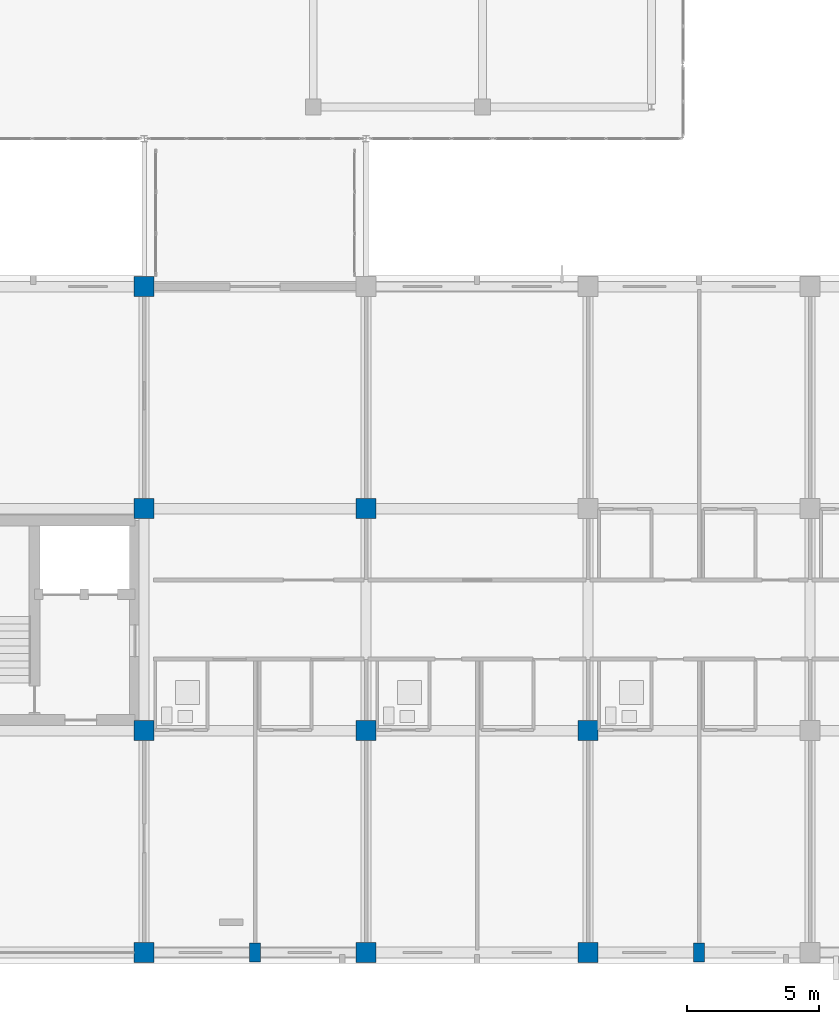
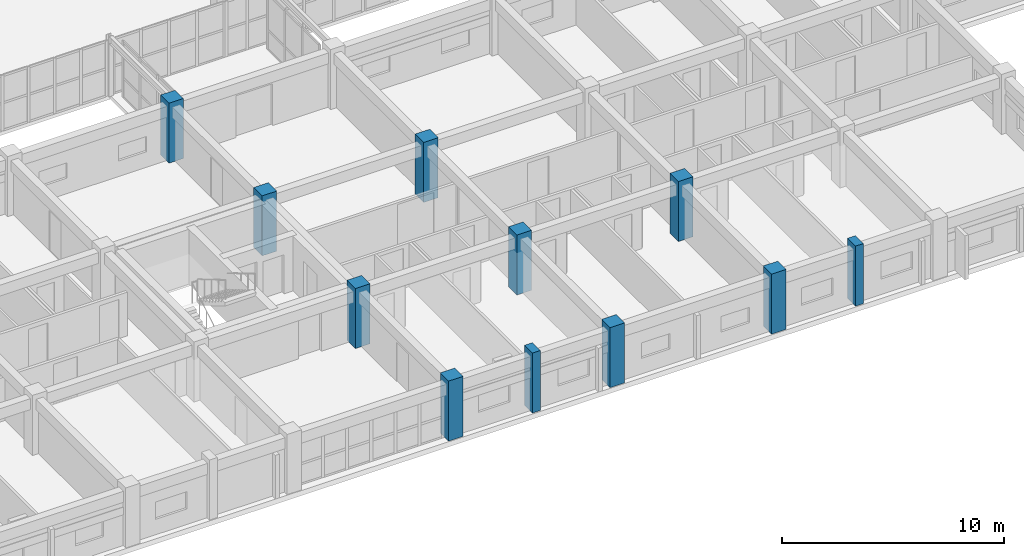
# One storey, part 8 of 200: 11 columns.
"""IFC4 building model written with IfcOpenShell, lengths in metres."""

from ifc_helpers import new_model, si_unit, direction, frame, origin, origin_2d, place, context, subcontext, project, spatial, rectangle, extrude, material, material_profile, profile_set, type_object, element, save


model = new_model("IFC4")

# Units and contexts
model_context = context("Model", 3, precision=1e-05, world=origin(), true_north=direction((0.0, 1.0)))
body_context = subcontext(model_context, "Body", "Model", "MODEL_VIEW")
ifc_project = project(units=[si_unit("LENGTHUNIT", "METRE"), si_unit("AREAUNIT", "SQUARE_METRE"), si_unit("VOLUMEUNIT", "CUBIC_METRE"), si_unit("PLANEANGLEUNIT", "RADIAN"), si_unit("MASSUNIT", "GRAM", prefix="KILO")], contexts=[model_context])

# Site, building, storey
site_placement = place(None, origin())
site = spatial("IfcSite", under=ifc_project, at=site_placement, CompositionType="ELEMENT")
building_placement = place(site_placement, origin())
building = spatial("IfcBuilding", under=site, at=building_placement, Name="Trelvath General Hospital", CompositionType="ELEMENT")
storey_placement = place(building_placement, frame((0.0, 0.0, 4.800048828125)))
storey = spatial("IfcBuildingStorey", under=building, at=storey_placement, Name="L01", CompositionType="ELEMENT", Elevation=4.800048828125)

# Columns
ifc_material_1 = material(Name="Concrete C40/50", Category="concrete")
ifc_material_profile_1 = material_profile(ifc_material_1, rectangle(XDim=0.75, YDim=0.75, at=origin_2d()), Name="RC750x750")
ifc_profile_set_1 = profile_set([ifc_material_profile_1], Name="Concrete C40/50")
column_type_1 = type_object("IfcColumnType", Name="Column RC750", PredefinedType="COLUMN", material=ifc_profile_set_1)
for number, where, z_axis, x_axis, name in (
    (1, (100.800048828125, 0.0, 0.0), (0.0, 0.0, 1.0), (1.0, 0.0, 0.0), "Column C-13A L01"),
    (2, (100.800048828125, 25.199951171875, 0.0), (0.0, 0.0, 1.0), (1.0, 0.0, 0.0), "Column C-13D L01"),
    (3, (109.199951171875, 0.0, 0.0), (0.0, 0.0, 1.0), (1.0, 0.0, 0.0), "Column C-14A L01"),
    (4, (117.60009765625, 0.0, 0.0), (0.0, 0.0, 1.0), (1.0, 0.0, 0.0), "Column C-15A L01"),
):
    element("IfcColumn", number, at=place(storey_placement, frame(where, z_axis=z_axis, x_axis=x_axis)), inside=storey, type_object=column_type_1, Name=name, PredefinedType="COLUMN", context=body_context, shape_type="SweptSolid", body=[
        extrude(rectangle(XDim=0.75, YDim=0.75, at=origin_2d()), origin(), (0.0, 0.0, 1.0), 3.300048828125),
    ])
ifc_material_2 = material(Name="Concrete C40/50", Category="concrete")
ifc_material_profile_2 = material_profile(ifc_material_2, rectangle(XDim=0.760009765625, YDim=0.760009765625, at=origin_2d()), Name="RC760x760")
ifc_profile_set_2 = profile_set([ifc_material_profile_2], Name="Concrete C40/50")
column_type_2 = type_object("IfcColumnType", Name="Column RC760", PredefinedType="COLUMN", material=ifc_profile_set_2)
for number, where, z_axis, x_axis, name in (
    (5, (100.800048828125, 8.39990234375, 0.0), (0.0, 0.0, 1.0), (1.0, 0.0, 0.0), "Column C-13B L01"),
    (6, (100.800048828125, 16.800048828125, 0.0), (0.0, 0.0, 1.0), (1.0, 0.0, 0.0), "Column C-13C L01"),
    (7, (109.199951171875, 8.39990234375, 0.0), (0.0, 0.0, 1.0), (1.0, 0.0, 0.0), "Column C-14B L01"),
    (8, (109.199951171875, 16.800048828125, 0.0), (0.0, 0.0, 1.0), (1.0, 0.0, 0.0), "Column C-14C L01"),
    (9, (117.60009765625, 8.39990234375, 0.0), (0.0, 0.0, 1.0), (1.0, 0.0, 0.0), "Column C-15B L01"),
):
    element("IfcColumn", number, at=place(storey_placement, frame(where, z_axis=z_axis, x_axis=x_axis)), inside=storey, type_object=column_type_2, Name=name, PredefinedType="COLUMN", context=body_context, shape_type="SweptSolid", body=[
        extrude(rectangle(XDim=0.760009765625, YDim=0.760009765625, at=origin_2d()), origin(), (0.0, 0.0, 1.0), 3.300048828125),
    ])
ifc_material_3 = material(Name="Concrete C40/50", Category="concrete")
ifc_material_profile_3 = material_profile(ifc_material_3, rectangle(XDim=0.419921875, YDim=0.719970703125, at=origin_2d()), Name="RC420x720")
ifc_profile_set_3 = profile_set([ifc_material_profile_3], Name="Concrete C40/50")
column_type_3 = type_object("IfcColumnType", Name="Pilaster RC420x720", PredefinedType="PILASTER", material=ifc_profile_set_3)
for number, where, z_axis, x_axis, name in (
    (10, (105.0, 0.0, 0.0), (0.0, 0.0, 1.0), (1.0, 0.0, 0.0), "Facade Pilaster PL-S12 L01"),
    (11, (121.800048828125, 0.0, 0.0), (0.0, 0.0, 1.0), (1.0, 0.0, 0.0), "Facade Pilaster PL-S14 L01"),
):
    element("IfcColumn", number, at=place(storey_placement, frame(where, z_axis=z_axis, x_axis=x_axis)), inside=storey, type_object=column_type_3, Name=name, PredefinedType="PILASTER", context=body_context, shape_type="SweptSolid", body=[
        extrude(rectangle(XDim=0.419921875, YDim=0.719970703125, at=origin_2d()), origin(), (0.0, 0.0, 1.0), 3.300048828125),
    ])

save(model, "model.ifc")
